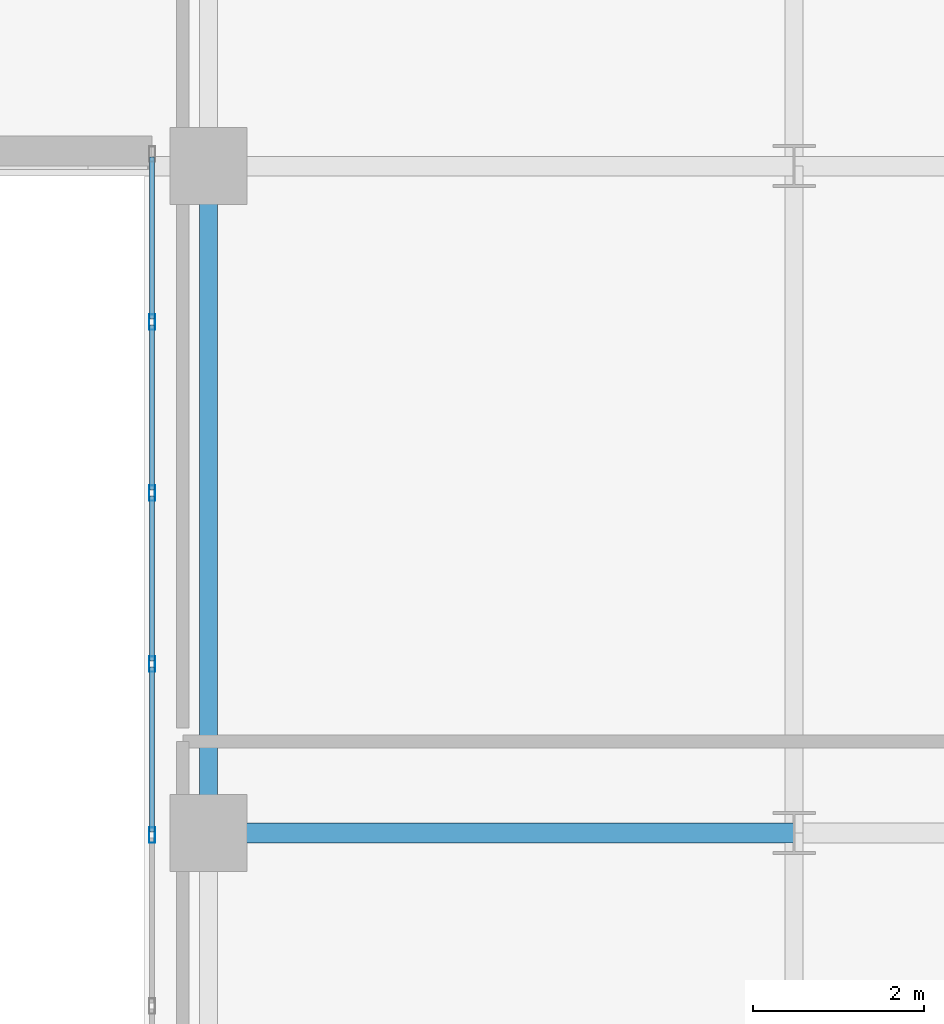
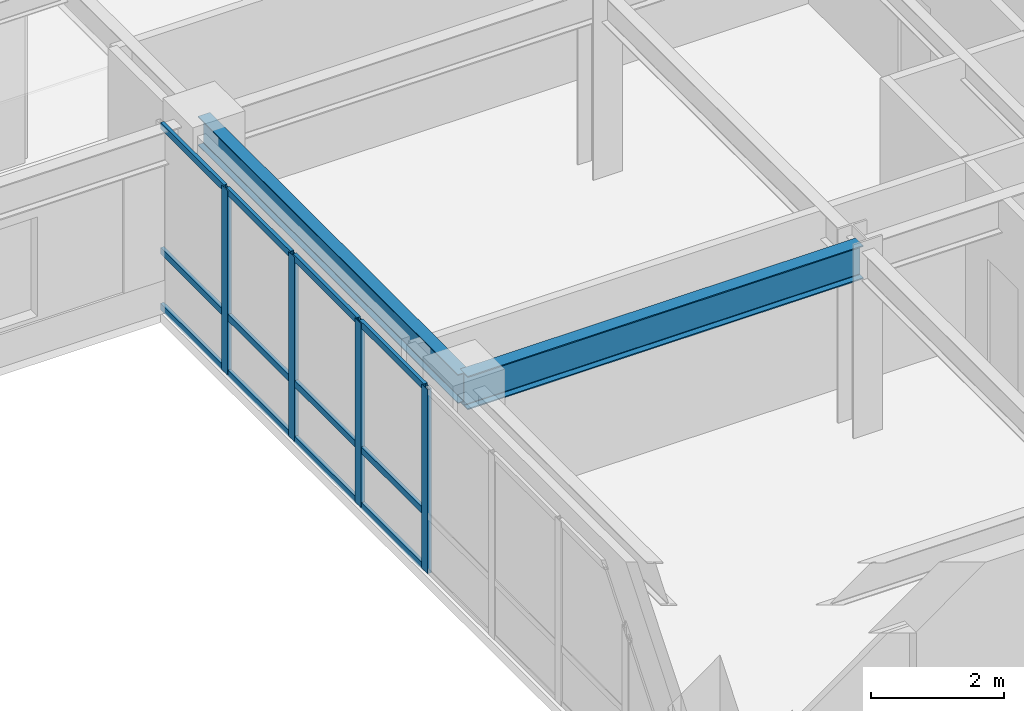
# One storey, part 9 of 24: 16 members, 2 beams, 1 element without a shape of its own.
"""IFC4 building model written with IfcOpenShell, lengths in metres."""

from ifc_helpers import new_model, si_unit, direction, frame, origin, origin_2d, place, context, subcontext, project, spatial, hollow_rectangle, i_section, extrude, source, transform, mapped, material, layer, layer_set, material_profile, profile_set, type_object, type_shapes, element, aggregate, save


model = new_model("IFC4")

# Units and contexts
model_context = context("Model", 3, precision=1e-05, world=origin(), true_north=direction((0.0, 1.0)))
body_context = subcontext(model_context, "Body", "Model", "MODEL_VIEW")
ifc_project = project(units=[si_unit("LENGTHUNIT", "METRE"), si_unit("AREAUNIT", "SQUARE_METRE"), si_unit("VOLUMEUNIT", "CUBIC_METRE"), si_unit("PLANEANGLEUNIT", "RADIAN"), si_unit("MASSUNIT", "GRAM", prefix="KILO")], contexts=[model_context])

# Site, building, storey
site_placement = place(None, origin())
site = spatial("IfcSite", under=ifc_project, at=site_placement, CompositionType="ELEMENT")
building_placement = place(site_placement, origin())
building = spatial("IfcBuilding", under=site, at=building_placement, Name="Tolvann Quenvar Hotel", CompositionType="ELEMENT")
storey_placement = place(building_placement, frame((0.0, 0.0, 88.800048828125)))
storey = spatial("IfcBuildingStorey", under=building, at=storey_placement, Name="L22", CompositionType="ELEMENT", Elevation=88.800048828125)

# Beams
ifc_material_1 = material(Name="Steel Grade 350", Category="steel")
ifc_material_profile_1 = material_profile(ifc_material_1, i_section(OverallWidth=0.22900390625, OverallDepth=0.612060546875, WebThickness=0.011962890625, FlangeThickness=0.01953125, FilletRadius=0.013916015625, at=origin_2d()), Name="610UB125")
ifc_profile_set_1 = profile_set([ifc_material_profile_1], Name="Steel Grade 350")
beam_type_1 = type_object("IfcBeamType", Name="BM_GIRD_610UB125", PredefinedType="BEAM", material=ifc_profile_set_1)
shared_shape_1 = source(origin(), body_context, "Body", "SweptSolid", [
    extrude(i_section(OverallWidth=0.22900390625, OverallDepth=0.612060546875, WebThickness=0.011962890625, FlangeThickness=0.01953125, FilletRadius=0.013916015625, at=origin_2d()), origin(), (0.0, 0.0, 1.0), 6.85009765625),
])
type_shapes(beam_type_1, [shared_shape_1])
beam_1_placement = place(storey_placement, frame((34.949951171875, 8.199951171875, 3.06396484375), z_axis=(1.0, 0.0, 0.0), x_axis=(0.0, 1.0, 0.0)))
element("IfcBeam", 1, at=beam_1_placement, inside=storey, type_object=beam_type_1, Name="BM-L22-EW-3-F3-H3", PredefinedType="BEAM", context=body_context, shape_type="MappedRepresentation", body=[
    mapped(shared_shape_1, transform((0.0, 0.0, 0.0), x_axis=(1.0, 0.0, 0.0), y_axis=(0.0, 1.0, 0.0), z_axis=(0.0, 0.0, 1.0), scale=1.0)),
])
ifc_material_profile_2 = material_profile(ifc_material_1, i_section(OverallWidth=0.208984375, OverallDepth=0.532958984375, WebThickness=0.01025390625, FlangeThickness=0.015625, FilletRadius=0.013916015625, at=origin_2d()), Name="530UB92")
ifc_profile_set_2 = profile_set([ifc_material_profile_2], Name="Steel Grade 350")
beam_type_2 = type_object("IfcBeamType", Name="BM_GIRD_530UB92", PredefinedType="BEAM", material=ifc_profile_set_2)
shared_shape_2 = source(origin(), body_context, "Body", "SweptSolid", [
    extrude(i_section(OverallWidth=0.208984375, OverallDepth=0.532958984375, WebThickness=0.01025390625, FlangeThickness=0.015625, FilletRadius=0.013916015625, at=origin_2d()), origin(), (0.0, 0.0, 1.0), 7.800048828125),
])
type_shapes(beam_type_2, [shared_shape_2])
beam_2_placement = place(storey_placement, frame((34.949951171875, 8.199951171875, 3.103515625), z_axis=(0.0, 1.0, 0.0), x_axis=(-1.0, 0.0, 0.0)))
element("IfcBeam", 2, at=beam_2_placement, inside=storey, type_object=beam_type_2, Name="BM-L22-NS-F3-F4", PredefinedType="BEAM", context=body_context, shape_type="MappedRepresentation", body=[
    mapped(shared_shape_2, transform((0.0, 0.0, 0.0), x_axis=(1.0, 0.0, 0.0), y_axis=(0.0, 1.0, 0.0), z_axis=(0.0, 0.0, 1.0), scale=1.0)),
])

# Curtain wall, members
ifc_material_2 = material(Name="Thermally broken anodised architectural aluminium 6063-T6 and laminated low-E glass", Category="aluminium")
ifc_layer = layer(ifc_material_2, 0.179931640625)
ifc_layer_set = layer_set([ifc_layer], Name="Thermally broken anodised architectural aluminium 6063-T6 and laminated low-E glass")
curtain_wall_type = type_object("IfcCurtainWallType", Name="CW_SYS_SLOT_03", PredefinedType="USERDEFINED", material=ifc_layer_set)
curtain_wall_placement = place(storey_placement, origin())
curtain_wall = element("IfcCurtainWall", 3, at=curtain_wall_placement, inside=storey, type_object=curtain_wall_type, Name="Curtain Wall CW-SLOT-03 (CWR-L22-E07)", ObjectType="UNITISED CURTAIN WALL", PredefinedType="USERDEFINED")
ifc_material_3 = material(Name="Anodised architectural aluminium 6063-T6 framing", Category="aluminium")
ifc_material_profile_3 = material_profile(ifc_material_3, hollow_rectangle(XDim=0.06005859375, YDim=0.1201171875, WallThickness=0.00341796875, at=origin_2d()), Name="120x60x3.5RHS")
ifc_profile_set_3 = profile_set([ifc_material_profile_3], Name="Anodised architectural aluminium 6063-T6 framing")
member_type_1 = type_object("IfcMemberType", Name="CW_TRAN_120x60", PredefinedType="USERDEFINED", material=ifc_profile_set_3)
shared_shape_3 = source(origin(), body_context, "Body", "SweptSolid", [
    extrude(hollow_rectangle(XDim=0.06005859375, YDim=0.1201171875, WallThickness=0.00341796875, at=origin_2d()), origin(), (0.0, 0.0, 1.0), 1.929931640625),
])
member_1_placement = place(storey_placement, frame((34.2900390625, 14.139892578125, 0.030029296875), z_axis=(0.0, -1.0, 0.0), x_axis=(1.0, 0.0, 0.0)))
member_1 = element("IfcMember", 4, at=member_1_placement, type_object=member_type_1, Name="CW-SLOT-03 transom 2.1", ObjectType="TRANSOM", PredefinedType="USERDEFINED", context=body_context, shape_type="MappedRepresentation", body=[
    mapped(shared_shape_3, transform((0.0, 0.0, 0.0), x_axis=(1.0, 0.0, 0.0), y_axis=(0.0, 1.0, 0.0), z_axis=(0.0, 0.0, 1.0), scale=1.0)),
])
member_2_placement = place(storey_placement, frame((34.2900390625, 14.139892578125, 1.050048828125), z_axis=(0.0, -1.0, 0.0), x_axis=(1.0, 0.0, 0.0)))
member_2 = element("IfcMember", 5, at=member_2_placement, type_object=member_type_1, Name="CW-SLOT-03 transom 2.2", ObjectType="TRANSOM", PredefinedType="USERDEFINED", context=body_context, shape_type="MappedRepresentation", body=[
    mapped(shared_shape_3, transform((0.0, 0.0, 0.0), x_axis=(1.0, 0.0, 0.0), y_axis=(0.0, 1.0, 0.0), z_axis=(0.0, 0.0, 1.0), scale=1.0)),
])
member_3_placement = place(storey_placement, frame((34.2900390625, 14.139892578125, 3.33984375), z_axis=(0.0, -1.0, 0.0), x_axis=(1.0, 0.0, 0.0)))
member_3 = element("IfcMember", 6, at=member_3_placement, type_object=member_type_1, Name="CW-SLOT-03 transom 2.3", ObjectType="TRANSOM", PredefinedType="USERDEFINED", context=body_context, shape_type="MappedRepresentation", body=[
    mapped(shared_shape_3, transform((0.0, 0.0, 0.0), x_axis=(1.0, 0.0, 0.0), y_axis=(0.0, 1.0, 0.0), z_axis=(0.0, 0.0, 1.0), scale=1.0)),
])
member_4_placement = place(storey_placement, frame((34.2900390625, 12.139892578125, 0.030029296875), z_axis=(0.0, -1.0, 0.0), x_axis=(1.0, 0.0, 0.0)))
member_4 = element("IfcMember", 7, at=member_4_placement, type_object=member_type_1, Name="CW-SLOT-03 transom 3.1", ObjectType="TRANSOM", PredefinedType="USERDEFINED", context=body_context, shape_type="MappedRepresentation", body=[
    mapped(shared_shape_3, transform((0.0, 0.0, 0.0), x_axis=(1.0, 0.0, 0.0), y_axis=(0.0, 1.0, 0.0), z_axis=(0.0, 0.0, 1.0), scale=1.0)),
])
member_5_placement = place(storey_placement, frame((34.2900390625, 12.139892578125, 1.050048828125), z_axis=(0.0, -1.0, 0.0), x_axis=(1.0, 0.0, 0.0)))
member_5 = element("IfcMember", 8, at=member_5_placement, type_object=member_type_1, Name="CW-SLOT-03 transom 3.2", ObjectType="TRANSOM", PredefinedType="USERDEFINED", context=body_context, shape_type="MappedRepresentation", body=[
    mapped(shared_shape_3, transform((0.0, 0.0, 0.0), x_axis=(1.0, 0.0, 0.0), y_axis=(0.0, 1.0, 0.0), z_axis=(0.0, 0.0, 1.0), scale=1.0)),
])
member_6_placement = place(storey_placement, frame((34.2900390625, 12.139892578125, 3.33984375), z_axis=(0.0, -1.0, 0.0), x_axis=(1.0, 0.0, 0.0)))
member_6 = element("IfcMember", 9, at=member_6_placement, type_object=member_type_1, Name="CW-SLOT-03 transom 3.3", ObjectType="TRANSOM", PredefinedType="USERDEFINED", context=body_context, shape_type="MappedRepresentation", body=[
    mapped(shared_shape_3, transform((0.0, 0.0, 0.0), x_axis=(1.0, 0.0, 0.0), y_axis=(0.0, 1.0, 0.0), z_axis=(0.0, 0.0, 1.0), scale=1.0)),
])
member_7_placement = place(storey_placement, frame((34.2900390625, 10.139892578125, 0.030029296875), z_axis=(0.0, -1.0, 0.0), x_axis=(1.0, 0.0, 0.0)))
member_7 = element("IfcMember", 10, at=member_7_placement, type_object=member_type_1, Name="CW-SLOT-03 transom 4.1", ObjectType="TRANSOM", PredefinedType="USERDEFINED", context=body_context, shape_type="MappedRepresentation", body=[
    mapped(shared_shape_3, transform((0.0, 0.0, 0.0), x_axis=(1.0, 0.0, 0.0), y_axis=(0.0, 1.0, 0.0), z_axis=(0.0, 0.0, 1.0), scale=1.0)),
])
member_8_placement = place(storey_placement, frame((34.2900390625, 10.139892578125, 1.050048828125), z_axis=(0.0, -1.0, 0.0), x_axis=(1.0, 0.0, 0.0)))
member_8 = element("IfcMember", 11, at=member_8_placement, type_object=member_type_1, Name="CW-SLOT-03 transom 4.2", ObjectType="TRANSOM", PredefinedType="USERDEFINED", context=body_context, shape_type="MappedRepresentation", body=[
    mapped(shared_shape_3, transform((0.0, 0.0, 0.0), x_axis=(1.0, 0.0, 0.0), y_axis=(0.0, 1.0, 0.0), z_axis=(0.0, 0.0, 1.0), scale=1.0)),
])
member_9_placement = place(storey_placement, frame((34.2900390625, 10.139892578125, 3.33984375), z_axis=(0.0, -1.0, 0.0), x_axis=(1.0, 0.0, 0.0)))
member_9 = element("IfcMember", 12, at=member_9_placement, type_object=member_type_1, Name="CW-SLOT-03 transom 4.3", ObjectType="TRANSOM", PredefinedType="USERDEFINED", context=body_context, shape_type="MappedRepresentation", body=[
    mapped(shared_shape_3, transform((0.0, 0.0, 0.0), x_axis=(1.0, 0.0, 0.0), y_axis=(0.0, 1.0, 0.0), z_axis=(0.0, 0.0, 1.0), scale=1.0)),
])
shared_shape_4 = source(origin(), body_context, "Body", "SweptSolid", [
    extrude(hollow_rectangle(XDim=0.06005859375, YDim=0.1201171875, WallThickness=0.00341796875, at=origin_2d()), origin(), (0.0, 0.0, 1.0), 1.89501953125),
])
type_shapes(member_type_1, [shared_shape_3, shared_shape_4])
member_10_placement = place(storey_placement, frame((34.2900390625, 16.10498046875, 0.030029296875), z_axis=(0.0, -1.0, 0.0), x_axis=(1.0, 0.0, 0.0)))
member_10 = element("IfcMember", 13, at=member_10_placement, type_object=member_type_1, Name="CW-SLOT-03 transom 1.1", ObjectType="TRANSOM", PredefinedType="USERDEFINED", context=body_context, shape_type="MappedRepresentation", body=[
    mapped(shared_shape_4, transform((0.0, 0.0, 0.0), x_axis=(1.0, 0.0, 0.0), y_axis=(0.0, 1.0, 0.0), z_axis=(0.0, 0.0, 1.0), scale=1.0)),
])
member_11_placement = place(storey_placement, frame((34.2900390625, 16.10498046875, 1.050048828125), z_axis=(0.0, -1.0, 0.0), x_axis=(1.0, 0.0, 0.0)))
member_11 = element("IfcMember", 14, at=member_11_placement, type_object=member_type_1, Name="CW-SLOT-03 transom 1.2", ObjectType="TRANSOM", PredefinedType="USERDEFINED", context=body_context, shape_type="MappedRepresentation", body=[
    mapped(shared_shape_4, transform((0.0, 0.0, 0.0), x_axis=(1.0, 0.0, 0.0), y_axis=(0.0, 1.0, 0.0), z_axis=(0.0, 0.0, 1.0), scale=1.0)),
])
member_12_placement = place(storey_placement, frame((34.2900390625, 16.10498046875, 3.33984375), z_axis=(0.0, -1.0, 0.0), x_axis=(1.0, 0.0, 0.0)))
member_12 = element("IfcMember", 15, at=member_12_placement, type_object=member_type_1, Name="CW-SLOT-03 transom 1.3", ObjectType="TRANSOM", PredefinedType="USERDEFINED", context=body_context, shape_type="MappedRepresentation", body=[
    mapped(shared_shape_4, transform((0.0, 0.0, 0.0), x_axis=(1.0, 0.0, 0.0), y_axis=(0.0, 1.0, 0.0), z_axis=(0.0, 0.0, 1.0), scale=1.0)),
])
ifc_material_profile_4 = material_profile(ifc_material_3, hollow_rectangle(XDim=0.070068359375, YDim=0.179931640625, WallThickness=0.00390625, at=origin_2d()), Name="180x70x4RHS")
ifc_profile_set_4 = profile_set([ifc_material_profile_4], Name="Anodised architectural aluminium 6063-T6 framing")
member_type_2 = type_object("IfcMemberType", Name="CW_MULL_180x70", PredefinedType="MULLION", material=ifc_profile_set_4)
shared_shape_5 = source(origin(), body_context, "Body", "SweptSolid", [
    extrude(hollow_rectangle(XDim=0.070068359375, YDim=0.179931640625, WallThickness=0.00390625, at=origin_2d()), origin(), (0.0, 0.0, 1.0), 3.369873046875),
])
type_shapes(member_type_2, [shared_shape_5])
member_13_placement = place(storey_placement, frame((34.2900390625, 14.175048828125, 0.0), z_axis=(0.0, 0.0, 1.0), x_axis=(1.0, 0.0, 0.0)))
member_13 = element("IfcMember", 16, at=member_13_placement, type_object=member_type_2, Name="CW-SLOT-03 mullion 2", PredefinedType="MULLION", context=body_context, shape_type="MappedRepresentation", body=[
    mapped(shared_shape_5, transform((0.0, 0.0, 0.0), x_axis=(1.0, 0.0, 0.0), y_axis=(0.0, 1.0, 0.0), z_axis=(0.0, 0.0, 1.0), scale=1.0)),
])
member_14_placement = place(storey_placement, frame((34.2900390625, 12.175048828125, 0.0), z_axis=(0.0, 0.0, 1.0), x_axis=(1.0, 0.0, 0.0)))
member_14 = element("IfcMember", 17, at=member_14_placement, type_object=member_type_2, Name="CW-SLOT-03 mullion 3", PredefinedType="MULLION", context=body_context, shape_type="MappedRepresentation", body=[
    mapped(shared_shape_5, transform((0.0, 0.0, 0.0), x_axis=(1.0, 0.0, 0.0), y_axis=(0.0, 1.0, 0.0), z_axis=(0.0, 0.0, 1.0), scale=1.0)),
])
member_15_placement = place(storey_placement, frame((34.2900390625, 10.175048828125, 0.0), z_axis=(0.0, 0.0, 1.0), x_axis=(1.0, 0.0, 0.0)))
member_15 = element("IfcMember", 18, at=member_15_placement, type_object=member_type_2, Name="CW-SLOT-03 mullion 4", PredefinedType="MULLION", context=body_context, shape_type="MappedRepresentation", body=[
    mapped(shared_shape_5, transform((0.0, 0.0, 0.0), x_axis=(1.0, 0.0, 0.0), y_axis=(0.0, 1.0, 0.0), z_axis=(0.0, 0.0, 1.0), scale=1.0)),
])
member_16_placement = place(storey_placement, frame((34.2900390625, 8.175048828125, 0.0), z_axis=(0.0, 0.0, 1.0), x_axis=(1.0, 0.0, 0.0)))
member_16 = element("IfcMember", 19, at=member_16_placement, type_object=member_type_2, Name="CW-SLOT-03 mullion 5", PredefinedType="MULLION", context=body_context, shape_type="MappedRepresentation", body=[
    mapped(shared_shape_5, transform((0.0, 0.0, 0.0), x_axis=(1.0, 0.0, 0.0), y_axis=(0.0, 1.0, 0.0), z_axis=(0.0, 0.0, 1.0), scale=1.0)),
])
aggregate(curtain_wall, [member_13, member_14, member_15, member_16, member_10, member_11, member_12, member_1, member_2, member_3, member_4, member_5, member_6, member_7, member_8, member_9])

save(model, "model.ifc")
